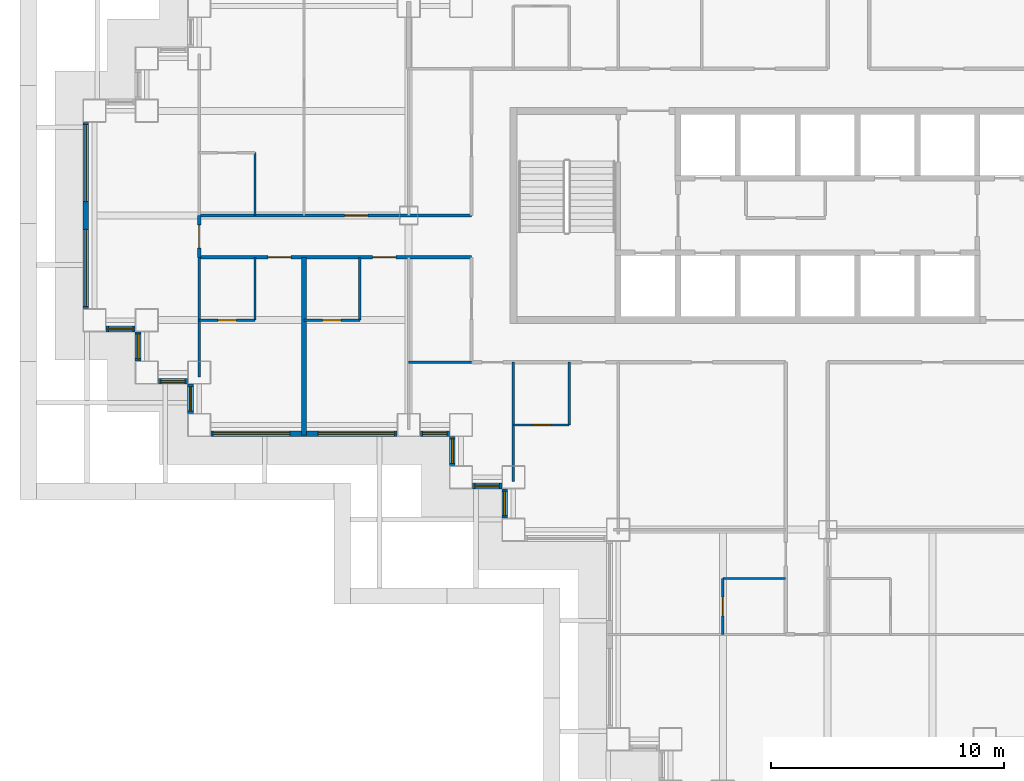
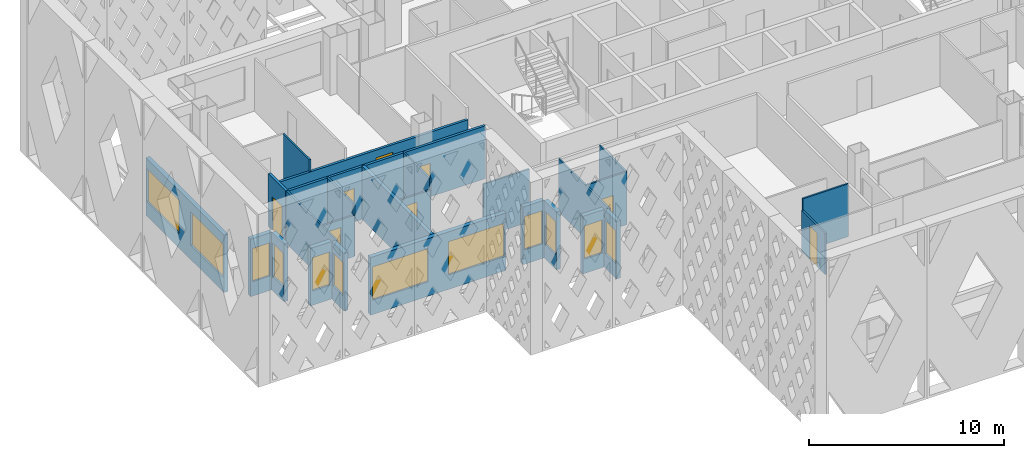
# One storey, part 3 of 19: 26 walls, 12 windows, 8 doors, 20 openings.
"""IFC4 building model written with IfcOpenShell, lengths in metres."""

from ifc_helpers import new_model, si_unit, direction, frame, frame_2d, origin, place, context, subcontext, project, spatial, rectangle, extrude, material, layer, layer_set, type_object, element, fill, save


model = new_model("IFC4")

# Units and contexts
model_context = context("Model", 3, precision=1e-05, world=origin(), true_north=direction((0.0, 1.0)))
body_context = subcontext(model_context, "Body", "Model", "MODEL_VIEW")
ifc_project = project(units=[si_unit("LENGTHUNIT", "METRE"), si_unit("AREAUNIT", "SQUARE_METRE"), si_unit("VOLUMEUNIT", "CUBIC_METRE"), si_unit("PLANEANGLEUNIT", "RADIAN"), si_unit("MASSUNIT", "GRAM", prefix="KILO")], contexts=[model_context])

# Site, building, storey
site_placement = place(None, origin())
site = spatial("IfcSite", under=ifc_project, at=site_placement, CompositionType="ELEMENT")
building_placement = place(site_placement, origin())
building = spatial("IfcBuilding", under=site, at=building_placement, Name="Caravel Reach Hotel and Residences", CompositionType="ELEMENT")
storey_placement = place(building_placement, frame((0.0, 0.0, 74.39990234375)))
storey = spatial("IfcBuildingStorey", under=building, at=storey_placement, Name="L17", CompositionType="ELEMENT", Elevation=74.39990234375)

# Wall
ifc_material_1 = material(Name="Gypsum board on steel stud", Category="steel")
ifc_layer_1 = layer(ifc_material_1, 0.10009765625)
ifc_layer_set_1 = layer_set([ifc_layer_1], Name="Bathroom pod wall 100 mm")
wall_type_1 = type_object("IfcWallType", Name="Bathroom pod wall 100 mm", PredefinedType="PARTITIONING", material=ifc_layer_set_1)
wall_1_placement = place(storey_placement, frame((27.0, 11.39990234375, 0.0), z_axis=(0.0, 0.0, 1.0), x_axis=(1.0, 0.0, 0.0)))
element("IfcWall", 1, at=wall_1_placement, inside=storey, type_object=wall_type_1, Name="L17 wall w083", PredefinedType="PARTITIONING", context=body_context, shape_type="SweptSolid", body=[
    extrude(rectangle(XDim=2.699951171875, YDim=0.10009765625, at=frame_2d((1.35009765625, 0.0))), origin(), (0.0, 0.0, 1.0), 3.300048828125),
])

# Wall, opening, door
wall_2_placement = place(storey_placement, frame((18.0, 18.0, 0.0), z_axis=(0.0, 0.0, 1.0), x_axis=(1.0, 0.0, 0.0)))
wall_2 = element("IfcWall", 2, at=wall_2_placement, inside=storey, type_object=wall_type_1, Name="L17 wall w084", PredefinedType="PARTITIONING", context=body_context, shape_type="SweptSolid", body=[
    extrude(rectangle(XDim=2.39990234375, YDim=0.10009765625, at=frame_2d((1.199951171875, 0.0))), origin(), (0.0, 0.0, 1.0), 3.300048828125),
])
opening_1_placement = place(wall_2_placement, frame((0.800048828125, 0.0, 0.0)))
opening_1 = element("IfcOpeningElement", 3, at=opening_1_placement, cuts=wall_2, Name="Opening D17-052", PredefinedType="OPENING", context=body_context, shape_type="SweptSolid", body=[
    extrude(rectangle(XDim=0.800048828125, YDim=2.10009765625, at=frame_2d((0.39990234375, 1.050048828125))), frame((0.0, 0.06005859375, 0.0), z_axis=(0.0, -1.0, 0.0), x_axis=(1.0, 0.0, 0.0)), (0.0, 0.0, 1.0), 0.1201171875),
])
ifc_material_2 = material(Name="Timber and steel door leaf", Category="steel")
door_type_1 = type_object("IfcDoorType", Name="Bathroom door 800 x 2100", OperationType="SINGLE_SWING_LEFT", PredefinedType="DOOR", material=ifc_material_2)
door_1_placement = place(opening_1_placement, origin())
door_1 = element("IfcDoor", 4, at=door_1_placement, inside=storey, type_object=door_type_1, Name="door D17-052", OperationType="SINGLE_SWING_LEFT", OverallHeight=2.10009765625, OverallWidth=0.800048828125, PredefinedType="DOOR", context=body_context, shape_type="SweptSolid", body=[
    extrude(rectangle(XDim=0.800048828125, YDim=2.10009765625, at=frame_2d((0.39990234375, 1.050048828125))), frame((0.0, 0.02490234375, 0.0), z_axis=(0.0, -1.0, 0.0), x_axis=(1.0, 0.0, 0.0)), (0.0, 0.0, 1.0), 0.050048828125),
])
fill(opening_1, door_1)

wall_3_placement = place(storey_placement, frame((9.0, 22.5, 0.0), z_axis=(0.0, 0.0, 1.0), x_axis=(1.0, 0.0, 0.0)))
wall_3 = element("IfcWall", 5, at=wall_3_placement, inside=storey, type_object=wall_type_1, Name="L17 wall w086", PredefinedType="PARTITIONING", context=body_context, shape_type="SweptSolid", body=[
    extrude(rectangle(XDim=2.39990234375, YDim=0.10009765625, at=frame_2d((1.199951171875, 0.0))), origin(), (0.0, 0.0, 1.0), 2.580078125),
])
opening_2_placement = place(wall_3_placement, frame((0.800048828125, 0.0, 0.0)))
opening_2 = element("IfcOpeningElement", 6, at=opening_2_placement, cuts=wall_3, Name="Opening D17-016", PredefinedType="OPENING", context=body_context, shape_type="SweptSolid", body=[
    extrude(rectangle(XDim=0.800048828125, YDim=2.10009765625, at=frame_2d((0.39990234375, 1.050048828125))), frame((0.0, 0.06005859375, 0.0), z_axis=(0.0, -1.0, 0.0), x_axis=(1.0, 0.0, 0.0)), (0.0, 0.0, 1.0), 0.1201171875),
])
door_2_placement = place(opening_2_placement, origin())
door_2 = element("IfcDoor", 7, at=door_2_placement, inside=storey, type_object=door_type_1, Name="door D17-016", OperationType="SINGLE_SWING_LEFT", OverallHeight=2.10009765625, OverallWidth=0.800048828125, PredefinedType="DOOR", context=body_context, shape_type="SweptSolid", body=[
    extrude(rectangle(XDim=0.800048828125, YDim=2.10009765625, at=frame_2d((0.39990234375, 1.050048828125))), frame((0.0, 0.02490234375, 0.0), z_axis=(0.0, -1.0, 0.0), x_axis=(1.0, 0.0, 0.0)), (0.0, 0.0, 1.0), 0.050048828125),
])
fill(opening_2, door_2)

wall_4_placement = place(storey_placement, frame((4.5, 22.5, 0.0), z_axis=(0.0, 0.0, 1.0), x_axis=(1.0, 0.0, 0.0)))
wall_4 = element("IfcWall", 8, at=wall_4_placement, inside=storey, type_object=wall_type_1, Name="L17 wall w087", PredefinedType="PARTITIONING", context=body_context, shape_type="SweptSolid", body=[
    extrude(rectangle(XDim=2.39990234375, YDim=0.10009765625, at=frame_2d((1.199951171875, 0.0))), origin(), (0.0, 0.0, 1.0), 2.580078125),
])
opening_3_placement = place(wall_4_placement, frame((0.800048828125, 0.0, 0.0)))
opening_3 = element("IfcOpeningElement", 9, at=opening_3_placement, cuts=wall_4, Name="Opening D17-018", PredefinedType="OPENING", context=body_context, shape_type="SweptSolid", body=[
    extrude(rectangle(XDim=0.800048828125, YDim=2.10009765625, at=frame_2d((0.39990234375, 1.050048828125))), frame((0.0, 0.06005859375, 0.0), z_axis=(0.0, -1.0, 0.0), x_axis=(1.0, 0.0, 0.0)), (0.0, 0.0, 1.0), 0.1201171875),
])
door_3_placement = place(opening_3_placement, origin())
door_3 = element("IfcDoor", 10, at=door_3_placement, inside=storey, type_object=door_type_1, Name="door D17-018", OperationType="SINGLE_SWING_RIGHT", OverallHeight=2.10009765625, OverallWidth=0.800048828125, PredefinedType="DOOR", context=body_context, shape_type="SweptSolid", body=[
    extrude(rectangle(XDim=0.800048828125, YDim=2.10009765625, at=frame_2d((0.39990234375, 1.050048828125))), frame((0.0, 0.02490234375, 0.0), z_axis=(0.0, -1.0, 0.0), x_axis=(1.0, 0.0, 0.0)), (0.0, 0.0, 1.0), 0.050048828125),
])
fill(opening_3, door_3)

# Walls
for number, where, z_axis, x_axis, name in (
    (11, (11.39990234375, 22.5, 0.0), (0.0, 0.0, 1.0), (0.0, 1.0, 0.0), "L17 wall w100"),
    (12, (20.39990234375, 18.0, 0.0), (0.0, 0.0, 1.0), (0.0, 1.0, 0.0), "L17 wall w103"),
):
    element("IfcWall", number, at=place(storey_placement, frame(where, z_axis=z_axis, x_axis=x_axis)), inside=storey, type_object=wall_type_1, Name=name, PredefinedType="PARTITIONING", context=body_context, shape_type="SweptSolid", body=[
        extrude(rectangle(XDim=2.699951171875, YDim=0.10009765625, at=frame_2d((1.35009765625, 0.0))), origin(), (0.0, 0.0, 1.0), 3.300048828125),
    ])

# Wall, opening, door
wall_5_placement = place(storey_placement, frame((27.0, 9.0, 0.0), z_axis=(0.0, 0.0, 1.0), x_axis=(0.0, 1.0, 0.0)))
wall_5 = element("IfcWall", 13, at=wall_5_placement, inside=storey, type_object=wall_type_1, Name="L17 wall w104", PredefinedType="PARTITIONING", context=body_context, shape_type="SweptSolid", body=[
    extrude(rectangle(XDim=2.39990234375, YDim=0.10009765625, at=frame_2d((1.199951171875, 0.0))), origin(), (0.0, 0.0, 1.0), 2.580078125),
])
opening_4_placement = place(wall_5_placement, frame((0.800048828125, 0.0, 0.0)))
opening_4 = element("IfcOpeningElement", 14, at=opening_4_placement, cuts=wall_5, Name="Opening D17-038", PredefinedType="OPENING", context=body_context, shape_type="SweptSolid", body=[
    extrude(rectangle(XDim=0.800048828125, YDim=2.10009765625, at=frame_2d((0.39990234375, 1.050048828125))), frame((0.0, 0.06005859375, 0.0), z_axis=(0.0, -1.0, 0.0), x_axis=(1.0, 0.0, 0.0)), (0.0, 0.0, 1.0), 0.1201171875),
])
door_4_placement = place(opening_4_placement, origin())
door_4 = element("IfcDoor", 15, at=door_4_placement, inside=storey, type_object=door_type_1, Name="door D17-038", OperationType="SINGLE_SWING_RIGHT", OverallHeight=2.10009765625, OverallWidth=0.800048828125, PredefinedType="DOOR", context=body_context, shape_type="SweptSolid", body=[
    extrude(rectangle(XDim=0.800048828125, YDim=2.10009765625, at=frame_2d((0.39990234375, 1.050048828125))), frame((0.0, 0.02490234375, 0.0), z_axis=(0.0, -1.0, 0.0), x_axis=(1.0, 0.0, 0.0)), (0.0, 0.0, 1.0), 0.050048828125),
])
fill(opening_4, door_4)

# Walls
for number, where, z_axis, x_axis, name in (
    (16, (6.89990234375, 22.5, 0.0), (0.0, 0.0, 1.0), (0.0, 1.0, 0.0), "L17 wall w115"),
    (17, (6.89990234375, 27.0, 0.0), (0.0, 0.0, 1.0), (0.0, 1.0, 0.0), "L17 wall w116"),
):
    element("IfcWall", number, at=place(storey_placement, frame(where, z_axis=z_axis, x_axis=x_axis)), inside=storey, type_object=wall_type_1, Name=name, PredefinedType="PARTITIONING", context=body_context, shape_type="SweptSolid", body=[
        extrude(rectangle(XDim=2.699951171875, YDim=0.10009765625, at=frame_2d((1.35009765625, 0.0))), origin(), (0.0, 0.0, 1.0), 3.300048828125),
    ])

# Wall, openings, doors
ifc_material_3 = material(Name="Gypsum board on steel stud, fire-rated", Category="steel")
ifc_layer_2 = layer(ifc_material_3, 0.14990234375)
ifc_layer_set_2 = layer_set([ifc_layer_2], Name="Corridor wall 150 mm EI 60")
wall_type_2 = type_object("IfcWallType", Name="Corridor wall 150 mm EI 60", PredefinedType="PARTITIONING", material=ifc_layer_set_2)
wall_6_placement = place(storey_placement, frame((4.5, 25.199951171875, 0.0), z_axis=(0.0, 0.0, 1.0), x_axis=(1.0, 0.0, 0.0)))
wall_6 = element("IfcWall", 18, at=wall_6_placement, inside=storey, type_object=wall_type_2, Name="L17 wall w008", PredefinedType="PARTITIONING", context=body_context, shape_type="SweptSolid", body=[
    extrude(rectangle(XDim=11.699951171875, YDim=0.14990234375, at=frame_2d((5.85009765625, 0.0))), origin(), (0.0, 0.0, 1.0), 3.300048828125),
])
opening_5_placement = place(wall_6_placement, frame((7.449951171875, 0.0, 0.0)))
opening_5 = element("IfcOpeningElement", 19, at=opening_5_placement, cuts=wall_6, Name="Opening D17-015", PredefinedType="OPENING", context=body_context, shape_type="SweptSolid", body=[
    extrude(rectangle(XDim=1.0, YDim=2.10009765625, at=frame_2d((0.5, 1.050048828125))), frame((0.0, 0.0849609375, 0.0), z_axis=(0.0, -1.0, 0.0), x_axis=(1.0, 0.0, 0.0)), (0.0, 0.0, 1.0), 0.169921875),
])
opening_6_placement = place(wall_6_placement, frame((2.949951171875, 0.0, 0.0)))
opening_6 = element("IfcOpeningElement", 20, at=opening_6_placement, cuts=wall_6, Name="Opening D17-017", PredefinedType="OPENING", context=body_context, shape_type="SweptSolid", body=[
    extrude(rectangle(XDim=1.0, YDim=2.10009765625, at=frame_2d((0.5, 1.050048828125))), frame((0.0, 0.0849609375, 0.0), z_axis=(0.0, -1.0, 0.0), x_axis=(1.0, 0.0, 0.0)), (0.0, 0.0, 1.0), 0.169921875),
])
ifc_material_4 = material(Name="Steel fire door leaf", Category="steel")
door_type_2 = type_object("IfcDoorType", Name="Guest room door 1000 x 2100 EI 30", OperationType="SINGLE_SWING_LEFT", PredefinedType="DOOR", material=ifc_material_4)
door_5_placement = place(opening_5_placement, origin())
door_5 = element("IfcDoor", 21, at=door_5_placement, inside=storey, type_object=door_type_2, Name="door D17-015", OperationType="SINGLE_SWING_RIGHT", OverallHeight=2.10009765625, OverallWidth=1.0, PredefinedType="DOOR", context=body_context, shape_type="SweptSolid", body=[
    extrude(rectangle(XDim=1.0, YDim=2.10009765625, at=frame_2d((0.5, 1.050048828125))), frame((0.0, 0.02490234375, 0.0), z_axis=(0.0, -1.0, 0.0), x_axis=(1.0, 0.0, 0.0)), (0.0, 0.0, 1.0), 0.050048828125),
])
fill(opening_5, door_5)
door_6_placement = place(opening_6_placement, origin())
door_6 = element("IfcDoor", 22, at=door_6_placement, inside=storey, type_object=door_type_2, Name="door D17-017", OperationType="SINGLE_SWING_RIGHT", OverallHeight=2.10009765625, OverallWidth=1.0, PredefinedType="DOOR", context=body_context, shape_type="SweptSolid", body=[
    extrude(rectangle(XDim=1.0, YDim=2.10009765625, at=frame_2d((0.5, 1.050048828125))), frame((0.0, 0.02490234375, 0.0), z_axis=(0.0, -1.0, 0.0), x_axis=(1.0, 0.0, 0.0)), (0.0, 0.0, 1.0), 0.050048828125),
])
fill(opening_6, door_6)

# Wall, opening, door
wall_7_placement = place(storey_placement, frame((4.5, 27.0, 0.0), z_axis=(0.0, 0.0, 1.0), x_axis=(1.0, 0.0, 0.0)))
wall_7 = element("IfcWall", 23, at=wall_7_placement, inside=storey, type_object=wall_type_2, Name="L17 wall w014", PredefinedType="PARTITIONING", context=body_context, shape_type="SweptSolid", body=[
    extrude(rectangle(XDim=11.699951171875, YDim=0.14990234375, at=frame_2d((5.85009765625, 0.0))), origin(), (0.0, 0.0, 1.0), 2.580078125),
])
opening_7_placement = place(wall_7_placement, frame((6.25, 0.0, 0.0)))
opening_7 = element("IfcOpeningElement", 24, at=opening_7_placement, cuts=wall_7, Name="Opening D17-019", PredefinedType="OPENING", context=body_context, shape_type="SweptSolid", body=[
    extrude(rectangle(XDim=1.0, YDim=2.10009765625, at=frame_2d((0.5, 1.050048828125))), frame((0.0, 0.0849609375, 0.0), z_axis=(0.0, -1.0, 0.0), x_axis=(1.0, 0.0, 0.0)), (0.0, 0.0, 1.0), 0.169921875),
])
door_7_placement = place(opening_7_placement, origin())
door_7 = element("IfcDoor", 25, at=door_7_placement, inside=storey, type_object=door_type_2, Name="door D17-019", OperationType="SINGLE_SWING_LEFT", OverallHeight=2.10009765625, OverallWidth=1.0, PredefinedType="DOOR", context=body_context, shape_type="SweptSolid", body=[
    extrude(rectangle(XDim=1.0, YDim=2.10009765625, at=frame_2d((0.5, 1.050048828125))), frame((0.0, 0.02490234375, 0.0), z_axis=(0.0, -1.0, 0.0), x_axis=(1.0, 0.0, 0.0)), (0.0, 0.0, 1.0), 0.050048828125),
])
fill(opening_7, door_7)

wall_8_placement = place(storey_placement, frame((4.5, 25.199951171875, 0.0), z_axis=(0.0, 0.0, 1.0), x_axis=(0.0, 1.0, 0.0)))
wall_8 = element("IfcWall", 26, at=wall_8_placement, inside=storey, type_object=wall_type_2, Name="L17 wall w039", PredefinedType="PARTITIONING", context=body_context, shape_type="SweptSolid", body=[
    extrude(rectangle(XDim=1.800048828125, YDim=0.14990234375, at=frame_2d((0.89990234375, 0.0))), origin(), (0.0, 0.0, 1.0), 3.300048828125),
])
opening_8_placement = place(wall_8_placement, frame((0.39990234375, 0.0, 0.0)))
opening_8 = element("IfcOpeningElement", 27, at=opening_8_placement, cuts=wall_8, Name="Opening D17-041", PredefinedType="OPENING", context=body_context, shape_type="SweptSolid", body=[
    extrude(rectangle(XDim=1.0, YDim=2.10009765625, at=frame_2d((0.5, 1.050048828125))), frame((0.0, 0.0849609375, 0.0), z_axis=(0.0, -1.0, 0.0), x_axis=(1.0, 0.0, 0.0)), (0.0, 0.0, 1.0), 0.169921875),
])
door_8_placement = place(opening_8_placement, origin())
door_8 = element("IfcDoor", 28, at=door_8_placement, inside=storey, type_object=door_type_2, Name="door D17-041", OperationType="SINGLE_SWING_RIGHT", OverallHeight=2.10009765625, OverallWidth=1.0, PredefinedType="DOOR", context=body_context, shape_type="SweptSolid", body=[
    extrude(rectangle(XDim=1.0, YDim=2.10009765625, at=frame_2d((0.5, 1.050048828125))), frame((0.0, 0.02490234375, 0.0), z_axis=(0.0, -1.0, 0.0), x_axis=(1.0, 0.0, 0.0)), (0.0, 0.0, 1.0), 0.050048828125),
])
fill(opening_8, door_8)

# Wall, openings, windows
ifc_material_5 = material(Name="Insulated rainscreen wall, aluminium cladding", Category="aluminium")
ifc_layer_3 = layer(ifc_material_5, 0.25)
ifc_layer_set_3 = layer_set([ifc_layer_3], Name="EW1 Tower rainscreen wall")
wall_type_3 = type_object("IfcWallType", Name="EW1 Tower rainscreen wall", PredefinedType="SOLIDWALL", material=ifc_layer_set_3)
wall_9_placement = place(storey_placement, frame((-0.375, 31.0, 0.0), z_axis=(0.0, 0.0, 1.0), x_axis=(0.0, -1.0, 0.0)))
wall_9 = element("IfcWall", 29, at=wall_9_placement, inside=storey, type_object=wall_type_3, Name="External wall L17 W50.1", PredefinedType="SOLIDWALL", context=body_context, shape_type="SweptSolid", body=[
    extrude(rectangle(XDim=8.0, YDim=0.25, at=frame_2d((4.0, 0.0))), origin(), (0.0, 0.0, 1.0), 3.60009765625),
])
opening_9_placement = place(wall_9_placement, frame((0.10009765625, 0.0, 0.89990234375)))
opening_9 = element("IfcOpeningElement", 30, at=opening_9_placement, cuts=wall_9, Name="Opening WN4", PredefinedType="OPENING", context=body_context, shape_type="SweptSolid", body=[
    extrude(rectangle(XDim=3.300048828125, YDim=2.080078125, at=frame_2d((1.64990234375, 1.0400390625))), frame((0.0, 0.135009765625, 0.0), z_axis=(0.0, -1.0, 0.0), x_axis=(1.0, 0.0, 0.0)), (0.0, 0.0, 1.0), 0.27001953125),
])
opening_10_placement = place(wall_9_placement, frame((4.60009765625, 0.0, 0.89990234375)))
opening_10 = element("IfcOpeningElement", 31, at=opening_10_placement, cuts=wall_9, Name="Opening WN4", PredefinedType="OPENING", context=body_context, shape_type="SweptSolid", body=[
    extrude(rectangle(XDim=3.300048828125, YDim=2.080078125, at=frame_2d((1.64990234375, 1.0400390625))), frame((0.0, 0.135009765625, 0.0), z_axis=(0.0, -1.0, 0.0), x_axis=(1.0, 0.0, 0.0)), (0.0, 0.0, 1.0), 0.27001953125),
])
ifc_material_6 = material(Name="Dark low-e glazing in black aluminium frame", Category="aluminium")
window_type_1 = type_object("IfcWindowType", Name="Hotel guest room window 3300 x 2080", PartitioningType="SINGLE_PANEL", PredefinedType="WINDOW", material=ifc_material_6)
window_1_placement = place(opening_9_placement, origin())
window_1 = element("IfcWindow", 32, at=window_1_placement, inside=storey, type_object=window_type_1, Name="Window L17 W50.1.1", OverallHeight=2.080078125, OverallWidth=3.300048828125, PartitioningType="SINGLE_PANEL", PredefinedType="WINDOW", context=body_context, shape_type="SweptSolid", body=[
    extrude(rectangle(XDim=3.300048828125, YDim=2.080078125, at=frame_2d((1.64990234375, 1.0400390625))), frame((0.0, 0.030029296875, 0.0), z_axis=(0.0, -1.0, 0.0), x_axis=(1.0, 0.0, 0.0)), (0.0, 0.0, 1.0), 0.06005859375),
])
fill(opening_9, window_1)
window_2_placement = place(opening_10_placement, origin())
window_2 = element("IfcWindow", 33, at=window_2_placement, inside=storey, type_object=window_type_1, Name="Window L17 W50.1.2", OverallHeight=2.080078125, OverallWidth=3.300048828125, PartitioningType="SINGLE_PANEL", PredefinedType="WINDOW", context=body_context, shape_type="SweptSolid", body=[
    extrude(rectangle(XDim=3.300048828125, YDim=2.080078125, at=frame_2d((1.64990234375, 1.0400390625))), frame((0.0, 0.030029296875, 0.0), z_axis=(0.0, -1.0, 0.0), x_axis=(1.0, 0.0, 0.0)), (0.0, 0.0, 1.0), 0.06005859375),
])
fill(opening_10, window_2)

# Wall, opening, window
wall_10_placement = place(storey_placement, frame((0.5, 22.125, 0.0), z_axis=(0.0, 0.0, 1.0), x_axis=(1.0, 0.0, 0.0)))
wall_10 = element("IfcWall", 34, at=wall_10_placement, inside=storey, type_object=wall_type_3, Name="External wall L17 S51.1", PredefinedType="SOLIDWALL", context=body_context, shape_type="SweptSolid", body=[
    extrude(rectangle(XDim=1.25, YDim=0.25, at=frame_2d((0.625, 0.0))), origin(), (0.0, 0.0, 1.0), 3.60009765625),
])
opening_11_placement = place(wall_10_placement, frame((0.10009765625, 0.0, 0.89990234375)))
opening_11 = element("IfcOpeningElement", 35, at=opening_11_placement, cuts=wall_10, Name="Opening WN3", PredefinedType="OPENING", context=body_context, shape_type="SweptSolid", body=[
    extrude(rectangle(XDim=1.050048828125, YDim=2.080078125, at=frame_2d((0.52490234375, 1.0400390625))), frame((0.0, 0.135009765625, 0.0), z_axis=(0.0, -1.0, 0.0), x_axis=(1.0, 0.0, 0.0)), (0.0, 0.0, 1.0), 0.27001953125),
])
ifc_material_7 = material(Name="Dark low-e glazing in black aluminium frame", Category="aluminium")
window_type_2 = type_object("IfcWindowType", Name="Hotel suite corner window 1050 x 2080", PartitioningType="SINGLE_PANEL", PredefinedType="WINDOW", material=ifc_material_7)
window_3_placement = place(opening_11_placement, origin())
window_3 = element("IfcWindow", 36, at=window_3_placement, inside=storey, type_object=window_type_2, Name="Window L17 S51.1.1", OverallHeight=2.080078125, OverallWidth=1.050048828125, PartitioningType="SINGLE_PANEL", PredefinedType="WINDOW", context=body_context, shape_type="SweptSolid", body=[
    extrude(rectangle(XDim=1.050048828125, YDim=2.080078125, at=frame_2d((0.52490234375, 1.0400390625))), frame((0.0, 0.030029296875, 0.0), z_axis=(0.0, -1.0, 0.0), x_axis=(1.0, 0.0, 0.0)), (0.0, 0.0, 1.0), 0.06005859375),
])
fill(opening_11, window_3)

wall_11_placement = place(storey_placement, frame((1.875, 22.0, 0.0), z_axis=(0.0, 0.0, 1.0), x_axis=(0.0, -1.0, 0.0)))
wall_11 = element("IfcWall", 37, at=wall_11_placement, inside=storey, type_object=wall_type_3, Name="External wall L17 W52.1", PredefinedType="SOLIDWALL", context=body_context, shape_type="SweptSolid", body=[
    extrude(rectangle(XDim=1.25, YDim=0.25, at=frame_2d((0.625, 0.0))), origin(), (0.0, 0.0, 1.0), 3.60009765625),
])
opening_12_placement = place(wall_11_placement, frame((0.10009765625, 0.0, 0.89990234375)))
opening_12 = element("IfcOpeningElement", 38, at=opening_12_placement, cuts=wall_11, Name="Opening WN3", PredefinedType="OPENING", context=body_context, shape_type="SweptSolid", body=[
    extrude(rectangle(XDim=1.050048828125, YDim=2.080078125, at=frame_2d((0.52490234375, 1.0400390625))), frame((0.0, 0.135009765625, 0.0), z_axis=(0.0, -1.0, 0.0), x_axis=(1.0, 0.0, 0.0)), (0.0, 0.0, 1.0), 0.27001953125),
])
window_4_placement = place(opening_12_placement, origin())
window_4 = element("IfcWindow", 39, at=window_4_placement, inside=storey, type_object=window_type_2, Name="Window L17 W52.1.1", OverallHeight=2.080078125, OverallWidth=1.050048828125, PartitioningType="SINGLE_PANEL", PredefinedType="WINDOW", context=body_context, shape_type="SweptSolid", body=[
    extrude(rectangle(XDim=1.050048828125, YDim=2.080078125, at=frame_2d((0.52490234375, 1.0400390625))), frame((0.0, 0.030029296875, 0.0), z_axis=(0.0, -1.0, 0.0), x_axis=(1.0, 0.0, 0.0)), (0.0, 0.0, 1.0), 0.06005859375),
])
fill(opening_12, window_4)

wall_12_placement = place(storey_placement, frame((2.75, 19.875, 0.0), z_axis=(0.0, 0.0, 1.0), x_axis=(1.0, 0.0, 0.0)))
wall_12 = element("IfcWall", 40, at=wall_12_placement, inside=storey, type_object=wall_type_3, Name="External wall L17 S53.1", PredefinedType="SOLIDWALL", context=body_context, shape_type="SweptSolid", body=[
    extrude(rectangle(XDim=1.25, YDim=0.25, at=frame_2d((0.625, 0.0))), origin(), (0.0, 0.0, 1.0), 3.60009765625),
])
opening_13_placement = place(wall_12_placement, frame((0.10009765625, 0.0, 0.89990234375)))
opening_13 = element("IfcOpeningElement", 41, at=opening_13_placement, cuts=wall_12, Name="Opening WN3", PredefinedType="OPENING", context=body_context, shape_type="SweptSolid", body=[
    extrude(rectangle(XDim=1.050048828125, YDim=2.080078125, at=frame_2d((0.52490234375, 1.0400390625))), frame((0.0, 0.135009765625, 0.0), z_axis=(0.0, -1.0, 0.0), x_axis=(1.0, 0.0, 0.0)), (0.0, 0.0, 1.0), 0.27001953125),
])
window_5_placement = place(opening_13_placement, origin())
window_5 = element("IfcWindow", 42, at=window_5_placement, inside=storey, type_object=window_type_2, Name="Window L17 S53.1.1", OverallHeight=2.080078125, OverallWidth=1.050048828125, PartitioningType="SINGLE_PANEL", PredefinedType="WINDOW", context=body_context, shape_type="SweptSolid", body=[
    extrude(rectangle(XDim=1.050048828125, YDim=2.080078125, at=frame_2d((0.52490234375, 1.0400390625))), frame((0.0, 0.030029296875, 0.0), z_axis=(0.0, -1.0, 0.0), x_axis=(1.0, 0.0, 0.0)), (0.0, 0.0, 1.0), 0.06005859375),
])
fill(opening_13, window_5)

wall_13_placement = place(storey_placement, frame((4.125, 19.75, 0.0), z_axis=(0.0, 0.0, 1.0), x_axis=(0.0, -1.0, 0.0)))
wall_13 = element("IfcWall", 43, at=wall_13_placement, inside=storey, type_object=wall_type_3, Name="External wall L17 W54.1", PredefinedType="SOLIDWALL", context=body_context, shape_type="SweptSolid", body=[
    extrude(rectangle(XDim=1.25, YDim=0.25, at=frame_2d((0.625, 0.0))), origin(), (0.0, 0.0, 1.0), 3.60009765625),
])
opening_14_placement = place(wall_13_placement, frame((0.10009765625, 0.0, 0.89990234375)))
opening_14 = element("IfcOpeningElement", 44, at=opening_14_placement, cuts=wall_13, Name="Opening WN3", PredefinedType="OPENING", context=body_context, shape_type="SweptSolid", body=[
    extrude(rectangle(XDim=1.050048828125, YDim=2.080078125, at=frame_2d((0.52490234375, 1.0400390625))), frame((0.0, 0.135009765625, 0.0), z_axis=(0.0, -1.0, 0.0), x_axis=(1.0, 0.0, 0.0)), (0.0, 0.0, 1.0), 0.27001953125),
])
window_6_placement = place(opening_14_placement, origin())
window_6 = element("IfcWindow", 45, at=window_6_placement, inside=storey, type_object=window_type_2, Name="Window L17 W54.1.1", OverallHeight=2.080078125, OverallWidth=1.050048828125, PartitioningType="SINGLE_PANEL", PredefinedType="WINDOW", context=body_context, shape_type="SweptSolid", body=[
    extrude(rectangle(XDim=1.050048828125, YDim=2.080078125, at=frame_2d((0.52490234375, 1.0400390625))), frame((0.0, 0.030029296875, 0.0), z_axis=(0.0, -1.0, 0.0), x_axis=(1.0, 0.0, 0.0)), (0.0, 0.0, 1.0), 0.06005859375),
])
fill(opening_14, window_6)

# Wall, openings, windows
wall_14_placement = place(storey_placement, frame((5.0, 17.625, 0.0), z_axis=(0.0, 0.0, 1.0), x_axis=(1.0, 0.0, 0.0)))
wall_14 = element("IfcWall", 46, at=wall_14_placement, inside=storey, type_object=wall_type_3, Name="External wall L17 S55.1", PredefinedType="SOLIDWALL", context=body_context, shape_type="SweptSolid", body=[
    extrude(rectangle(XDim=8.0, YDim=0.25, at=frame_2d((4.0, 0.0))), origin(), (0.0, 0.0, 1.0), 3.60009765625),
])
opening_15_placement = place(wall_14_placement, frame((0.10009765625, 0.0, 0.89990234375)))
opening_15 = element("IfcOpeningElement", 47, at=opening_15_placement, cuts=wall_14, Name="Opening WN4", PredefinedType="OPENING", context=body_context, shape_type="SweptSolid", body=[
    extrude(rectangle(XDim=3.300048828125, YDim=2.080078125, at=frame_2d((1.64990234375, 1.0400390625))), frame((0.0, 0.135009765625, 0.0), z_axis=(0.0, -1.0, 0.0), x_axis=(1.0, 0.0, 0.0)), (0.0, 0.0, 1.0), 0.27001953125),
])
opening_16_placement = place(wall_14_placement, frame((4.60009765625, 0.0, 0.89990234375)))
opening_16 = element("IfcOpeningElement", 48, at=opening_16_placement, cuts=wall_14, Name="Opening WN4", PredefinedType="OPENING", context=body_context, shape_type="SweptSolid", body=[
    extrude(rectangle(XDim=3.300048828125, YDim=2.080078125, at=frame_2d((1.64990234375, 1.0400390625))), frame((0.0, 0.135009765625, 0.0), z_axis=(0.0, -1.0, 0.0), x_axis=(1.0, 0.0, 0.0)), (0.0, 0.0, 1.0), 0.27001953125),
])
window_7_placement = place(opening_15_placement, origin())
window_7 = element("IfcWindow", 49, at=window_7_placement, inside=storey, type_object=window_type_1, Name="Window L17 S55.1.1", OverallHeight=2.080078125, OverallWidth=3.300048828125, PartitioningType="SINGLE_PANEL", PredefinedType="WINDOW", context=body_context, shape_type="SweptSolid", body=[
    extrude(rectangle(XDim=3.300048828125, YDim=2.080078125, at=frame_2d((1.64990234375, 1.0400390625))), frame((0.0, 0.030029296875, 0.0), z_axis=(0.0, -1.0, 0.0), x_axis=(1.0, 0.0, 0.0)), (0.0, 0.0, 1.0), 0.06005859375),
])
fill(opening_15, window_7)
window_8_placement = place(opening_16_placement, origin())
window_8 = element("IfcWindow", 50, at=window_8_placement, inside=storey, type_object=window_type_1, Name="Window L17 S55.1.2", OverallHeight=2.080078125, OverallWidth=3.300048828125, PartitioningType="SINGLE_PANEL", PredefinedType="WINDOW", context=body_context, shape_type="SweptSolid", body=[
    extrude(rectangle(XDim=3.300048828125, YDim=2.080078125, at=frame_2d((1.64990234375, 1.0400390625))), frame((0.0, 0.030029296875, 0.0), z_axis=(0.0, -1.0, 0.0), x_axis=(1.0, 0.0, 0.0)), (0.0, 0.0, 1.0), 0.06005859375),
])
fill(opening_16, window_8)

# Wall, opening, window
wall_15_placement = place(storey_placement, frame((14.0, 17.625, 0.0), z_axis=(0.0, 0.0, 1.0), x_axis=(1.0, 0.0, 0.0)))
wall_15 = element("IfcWall", 51, at=wall_15_placement, inside=storey, type_object=wall_type_3, Name="External wall L17 S55.2", PredefinedType="SOLIDWALL", context=body_context, shape_type="SweptSolid", body=[
    extrude(rectangle(XDim=1.25, YDim=0.25, at=frame_2d((0.625, 0.0))), origin(), (0.0, 0.0, 1.0), 3.60009765625),
])
opening_17_placement = place(wall_15_placement, frame((0.10009765625, 0.0, 0.89990234375)))
opening_17 = element("IfcOpeningElement", 52, at=opening_17_placement, cuts=wall_15, Name="Opening WN3", PredefinedType="OPENING", context=body_context, shape_type="SweptSolid", body=[
    extrude(rectangle(XDim=1.050048828125, YDim=2.080078125, at=frame_2d((0.52490234375, 1.0400390625))), frame((0.0, 0.135009765625, 0.0), z_axis=(0.0, -1.0, 0.0), x_axis=(1.0, 0.0, 0.0)), (0.0, 0.0, 1.0), 0.27001953125),
])
window_9_placement = place(opening_17_placement, origin())
window_9 = element("IfcWindow", 53, at=window_9_placement, inside=storey, type_object=window_type_2, Name="Window L17 S55.2.1", OverallHeight=2.080078125, OverallWidth=1.050048828125, PartitioningType="SINGLE_PANEL", PredefinedType="WINDOW", context=body_context, shape_type="SweptSolid", body=[
    extrude(rectangle(XDim=1.050048828125, YDim=2.080078125, at=frame_2d((0.52490234375, 1.0400390625))), frame((0.0, 0.030029296875, 0.0), z_axis=(0.0, -1.0, 0.0), x_axis=(1.0, 0.0, 0.0)), (0.0, 0.0, 1.0), 0.06005859375),
])
fill(opening_17, window_9)

wall_16_placement = place(storey_placement, frame((15.375, 17.5, 0.0), z_axis=(0.0, 0.0, 1.0), x_axis=(0.0, -1.0, 0.0)))
wall_16 = element("IfcWall", 54, at=wall_16_placement, inside=storey, type_object=wall_type_3, Name="External wall L17 W56.1", PredefinedType="SOLIDWALL", context=body_context, shape_type="SweptSolid", body=[
    extrude(rectangle(XDim=1.25, YDim=0.25, at=frame_2d((0.625, 0.0))), origin(), (0.0, 0.0, 1.0), 3.60009765625),
])
opening_18_placement = place(wall_16_placement, frame((0.10009765625, 0.0, 0.89990234375)))
opening_18 = element("IfcOpeningElement", 55, at=opening_18_placement, cuts=wall_16, Name="Opening WN3", PredefinedType="OPENING", context=body_context, shape_type="SweptSolid", body=[
    extrude(rectangle(XDim=1.050048828125, YDim=2.080078125, at=frame_2d((0.52490234375, 1.0400390625))), frame((0.0, 0.135009765625, 0.0), z_axis=(0.0, -1.0, 0.0), x_axis=(1.0, 0.0, 0.0)), (0.0, 0.0, 1.0), 0.27001953125),
])
window_10_placement = place(opening_18_placement, origin())
window_10 = element("IfcWindow", 56, at=window_10_placement, inside=storey, type_object=window_type_2, Name="Window L17 W56.1.1", OverallHeight=2.080078125, OverallWidth=1.050048828125, PartitioningType="SINGLE_PANEL", PredefinedType="WINDOW", context=body_context, shape_type="SweptSolid", body=[
    extrude(rectangle(XDim=1.050048828125, YDim=2.080078125, at=frame_2d((0.52490234375, 1.0400390625))), frame((0.0, 0.030029296875, 0.0), z_axis=(0.0, -1.0, 0.0), x_axis=(1.0, 0.0, 0.0)), (0.0, 0.0, 1.0), 0.06005859375),
])
fill(opening_18, window_10)

wall_17_placement = place(storey_placement, frame((16.25, 15.375, 0.0), z_axis=(0.0, 0.0, 1.0), x_axis=(1.0, 0.0, 0.0)))
wall_17 = element("IfcWall", 57, at=wall_17_placement, inside=storey, type_object=wall_type_3, Name="External wall L17 S57.1", PredefinedType="SOLIDWALL", context=body_context, shape_type="SweptSolid", body=[
    extrude(rectangle(XDim=1.25, YDim=0.25, at=frame_2d((0.625, 0.0))), origin(), (0.0, 0.0, 1.0), 3.60009765625),
])
opening_19_placement = place(wall_17_placement, frame((0.10009765625, 0.0, 0.89990234375)))
opening_19 = element("IfcOpeningElement", 58, at=opening_19_placement, cuts=wall_17, Name="Opening WN3", PredefinedType="OPENING", context=body_context, shape_type="SweptSolid", body=[
    extrude(rectangle(XDim=1.050048828125, YDim=2.080078125, at=frame_2d((0.52490234375, 1.0400390625))), frame((0.0, 0.135009765625, 0.0), z_axis=(0.0, -1.0, 0.0), x_axis=(1.0, 0.0, 0.0)), (0.0, 0.0, 1.0), 0.27001953125),
])
window_11_placement = place(opening_19_placement, origin())
window_11 = element("IfcWindow", 59, at=window_11_placement, inside=storey, type_object=window_type_2, Name="Window L17 S57.1.1", OverallHeight=2.080078125, OverallWidth=1.050048828125, PartitioningType="SINGLE_PANEL", PredefinedType="WINDOW", context=body_context, shape_type="SweptSolid", body=[
    extrude(rectangle(XDim=1.050048828125, YDim=2.080078125, at=frame_2d((0.52490234375, 1.0400390625))), frame((0.0, 0.030029296875, 0.0), z_axis=(0.0, -1.0, 0.0), x_axis=(1.0, 0.0, 0.0)), (0.0, 0.0, 1.0), 0.06005859375),
])
fill(opening_19, window_11)

wall_18_placement = place(storey_placement, frame((17.625, 15.25, 0.0), z_axis=(0.0, 0.0, 1.0), x_axis=(0.0, -1.0, 0.0)))
wall_18 = element("IfcWall", 60, at=wall_18_placement, inside=storey, type_object=wall_type_3, Name="External wall L17 W58.1", PredefinedType="SOLIDWALL", context=body_context, shape_type="SweptSolid", body=[
    extrude(rectangle(XDim=1.25, YDim=0.25, at=frame_2d((0.625, 0.0))), origin(), (0.0, 0.0, 1.0), 3.60009765625),
])
opening_20_placement = place(wall_18_placement, frame((0.10009765625, 0.0, 0.89990234375)))
opening_20 = element("IfcOpeningElement", 61, at=opening_20_placement, cuts=wall_18, Name="Opening WN3", PredefinedType="OPENING", context=body_context, shape_type="SweptSolid", body=[
    extrude(rectangle(XDim=1.050048828125, YDim=2.080078125, at=frame_2d((0.52490234375, 1.0400390625))), frame((0.0, 0.135009765625, 0.0), z_axis=(0.0, -1.0, 0.0), x_axis=(1.0, 0.0, 0.0)), (0.0, 0.0, 1.0), 0.27001953125),
])
window_12_placement = place(opening_20_placement, origin())
window_12 = element("IfcWindow", 62, at=window_12_placement, inside=storey, type_object=window_type_2, Name="Window L17 W58.1.1", OverallHeight=2.080078125, OverallWidth=1.050048828125, PartitioningType="SINGLE_PANEL", PredefinedType="WINDOW", context=body_context, shape_type="SweptSolid", body=[
    extrude(rectangle(XDim=1.050048828125, YDim=2.080078125, at=frame_2d((0.52490234375, 1.0400390625))), frame((0.0, 0.030029296875, 0.0), z_axis=(0.0, -1.0, 0.0), x_axis=(1.0, 0.0, 0.0)), (0.0, 0.0, 1.0), 0.06005859375),
])
fill(opening_20, window_12)

# Walls
ifc_material_8 = material(Name="Gypsum board on steel stud", Category="steel")
ifc_layer_4 = layer(ifc_material_8, 0.10009765625)
ifc_layer_set_4 = layer_set([ifc_layer_4], Name="Partition 100 mm")
wall_type_4 = type_object("IfcWallType", Name="Partition 100 mm", PredefinedType="PARTITIONING", material=ifc_layer_set_4)
wall_19_placement = place(storey_placement, frame((13.5, 20.699951171875, 0.0), z_axis=(0.0, 0.0, 1.0), x_axis=(1.0, 0.0, 0.0)))
element("IfcWall", 63, at=wall_19_placement, inside=storey, type_object=wall_type_4, Name="L17 wall w045", PredefinedType="PARTITIONING", context=body_context, shape_type="SweptSolid", body=[
    extrude(rectangle(XDim=2.699951171875, YDim=0.10009765625, at=frame_2d((1.35009765625, 0.0))), origin(), (0.0, 0.0, 1.0), 3.300048828125),
])
for number, where, z_axis, x_axis, name in (
    (64, (18.0, 15.56005859375, 0.0), (0.0, 0.0, 1.0), (0.0, 1.0, 0.0), "L17 wall w060"),
    (65, (4.5, 20.06005859375, 0.0), (0.0, 0.0, 1.0), (0.0, 1.0, 0.0), "L17 wall w064"),
):
    element("IfcWall", number, at=place(storey_placement, frame(where, z_axis=z_axis, x_axis=x_axis)), inside=storey, type_object=wall_type_4, Name=name, PredefinedType="PARTITIONING", context=body_context, shape_type="SweptSolid", body=[
        extrude(rectangle(XDim=5.139892578125, YDim=0.10009765625, at=frame_2d((2.56982421875, 0.0))), origin(), (0.0, 0.0, 1.0), 3.300048828125),
    ])
ifc_material_9 = material(Name="Autoclaved aerated block wall")
ifc_layer_5 = layer(ifc_material_9, 0.199951171875)
ifc_layer_set_5 = layer_set([ifc_layer_5], Name="Party wall 200 mm EI 60")
wall_type_5 = type_object("IfcWallType", Name="Party wall 200 mm EI 60", PredefinedType="PARTITIONING", material=ifc_layer_set_5)
wall_20_placement = place(storey_placement, frame((9.0, 17.56005859375, 0.0), z_axis=(0.0, 0.0, 1.0), x_axis=(0.0, 1.0, 0.0)))
element("IfcWall", 66, at=wall_20_placement, inside=storey, type_object=wall_type_5, Name="L17 wall w081", PredefinedType="PARTITIONING", context=body_context, shape_type="SweptSolid", body=[
    extrude(rectangle(XDim=7.639892578125, YDim=0.199951171875, at=frame_2d((3.81982421875, 0.0))), origin(), (0.0, 0.0, 1.0), 3.300048828125),
])

save(model, "model.ifc")
